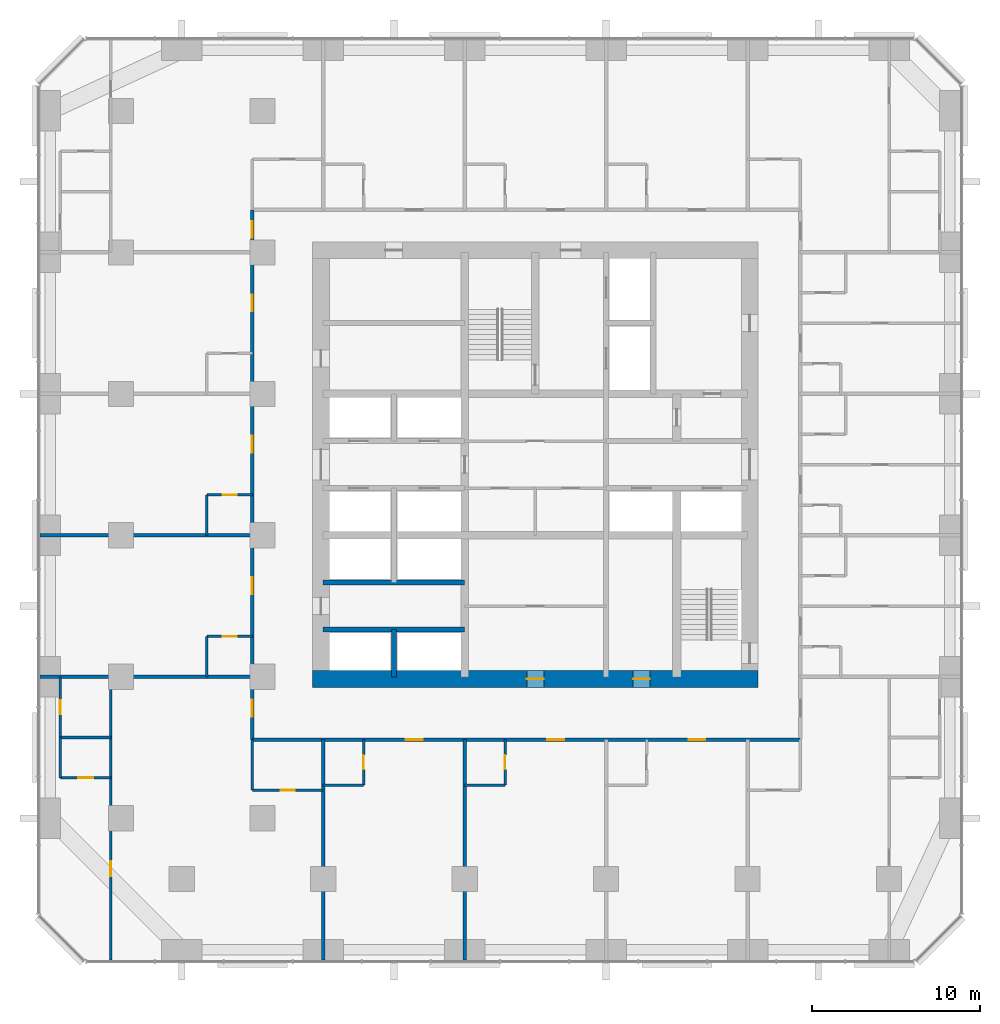
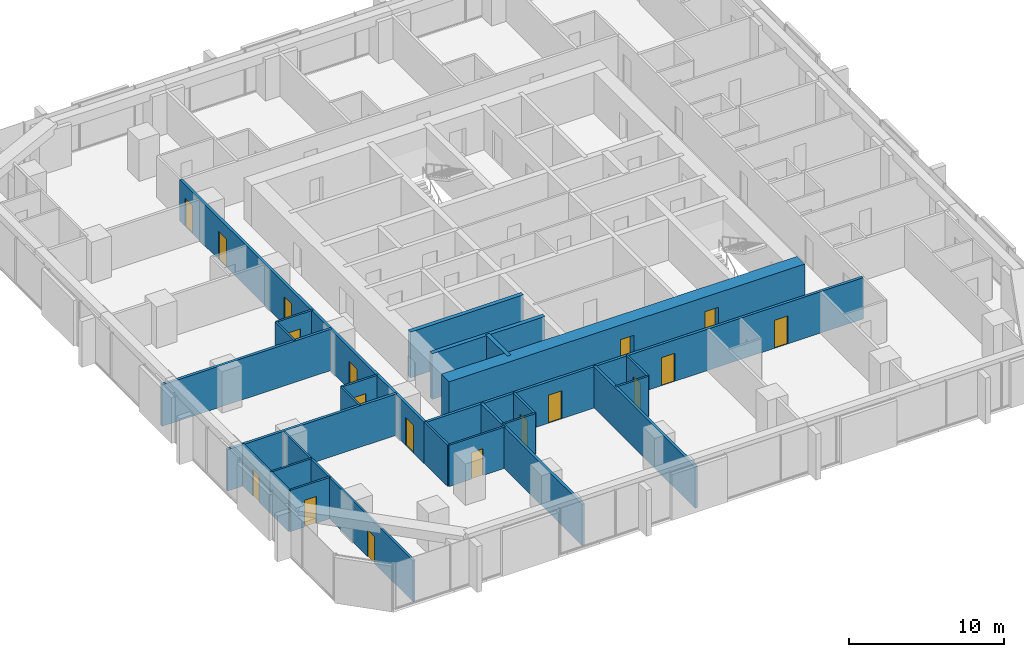
# One storey, part 8 of 13: 25 walls, 18 doors, 18 openings.
"""IFC4 building model written with IfcOpenShell, lengths in metres."""

from ifc_helpers import new_model, si_unit, direction, frame, frame_2d, origin, place, context, subcontext, project, spatial, rectangle, extrude, material, layer, layer_set, type_object, element, fill, save


model = new_model("IFC4")

# Units and contexts
model_context = context("Model", 3, precision=1e-05, world=origin(), true_north=direction((0.0, 1.0)))
body_context = subcontext(model_context, "Body", "Model", "MODEL_VIEW")
ifc_project = project(units=[si_unit("LENGTHUNIT", "METRE"), si_unit("AREAUNIT", "SQUARE_METRE"), si_unit("VOLUMEUNIT", "CUBIC_METRE"), si_unit("PLANEANGLEUNIT", "RADIAN"), si_unit("MASSUNIT", "GRAM", prefix="KILO")], contexts=[model_context])

# Site, building, storey
site_placement = place(None, origin())
site = spatial("IfcSite", under=ifc_project, at=site_placement, CompositionType="ELEMENT")
building_placement = place(site_placement, origin())
building = spatial("IfcBuilding", under=site, at=building_placement, Name="Dunama Terrace Hotel", CompositionType="ELEMENT")
storey_placement = place(building_placement, frame((0.0, 0.0, 118.800048828125)))
storey = spatial("IfcBuildingStorey", under=building, at=storey_placement, Name="L30", CompositionType="ELEMENT", Elevation=118.800048828125)

# Wall, opening, door
ifc_material_1 = material(Name="Gypsum board partition", Category="masonry")
ifc_layer_1 = layer(ifc_material_1, 0.14990234375)
ifc_layer_set_1 = layer_set([ifc_layer_1], Name="Bathroom partition 150")
wall_type_1 = type_object("IfcWallType", Name="Bathroom partition 150", PredefinedType="PARTITIONING", material=ifc_layer_set_1)
wall_1_placement = place(storey_placement, frame((1.199951171875, 13.199951171875, 0.0), z_axis=(0.0, 0.0, 1.0), x_axis=(0.0, 1.0, 0.0)))
wall_1 = element("IfcWall", 1, at=wall_1_placement, inside=storey, type_object=wall_type_1, Name="Bathroom partition 150 L30", PredefinedType="PARTITIONING", context=body_context, shape_type="SweptSolid", body=[
    extrude(rectangle(XDim=3.60009765625, YDim=0.14990234375, at=frame_2d((1.800048828125, 0.0))), origin(), (0.0, 0.0, 1.0), 3.25),
])
opening_1_placement = place(wall_1_placement, frame((1.375, 0.0, 0.0)))
opening_1 = element("IfcOpeningElement", 2, at=opening_1_placement, cuts=wall_1, Name="Opening L30-044", PredefinedType="OPENING", context=body_context, shape_type="SweptSolid", body=[
    extrude(rectangle(XDim=0.85009765625, YDim=2.10009765625, at=frame_2d((0.425048828125, 1.050048828125))), frame((0.0, 0.0849609375, 0.0), z_axis=(0.0, -1.0, 0.0), x_axis=(1.0, 0.0, 0.0)), (0.0, 0.0, 1.0), 0.169921875),
])
ifc_material_2 = material(Name="Timber door with steel frame", Category="steel")
door_type_1 = type_object("IfcDoorType", Name="Bathroom door 850", OperationType="SINGLE_SWING_LEFT", PredefinedType="DOOR", material=ifc_material_2)
door_1_placement = place(opening_1_placement, frame((0.85009765625, 0.0, 0.0), z_axis=(0.0, 0.0, 1.0), x_axis=(-1.0, 0.0, 0.0)))
door_1 = element("IfcDoor", 3, at=door_1_placement, inside=storey, type_object=door_type_1, Name="Door to en-suite bathroom L30-044, type D2", OperationType="SINGLE_SWING_LEFT", OverallHeight=2.10009765625, OverallWidth=0.85009765625, PredefinedType="DOOR", context=body_context, shape_type="SweptSolid", body=[
    extrude(rectangle(XDim=0.85009765625, YDim=2.10009765625, at=frame_2d((0.425048828125, 1.050048828125))), frame((0.0, 0.025146484375, 0.0), z_axis=(0.0, -1.0, 0.0), x_axis=(1.0, 0.0, 0.0)), (0.0, 0.0, 1.0), 0.050048828125),
])
fill(opening_1, door_1)

# Walls
wall_2_placement = place(storey_placement, frame((9.89990234375, 16.800048828125, 0.0), z_axis=(0.0, 0.0, 1.0), x_axis=(0.0, 1.0, 0.0)))
element("IfcWall", 4, at=wall_2_placement, inside=storey, type_object=wall_type_1, Name="Bathroom partition 150 L30", PredefinedType="PARTITIONING", context=body_context, shape_type="SweptSolid", body=[
    extrude(rectangle(XDim=2.39990234375, YDim=0.14990234375, at=frame_2d((1.199951171875, 0.0))), origin(), (0.0, 0.0, 1.0), 3.25),
])
wall_3_placement = place(storey_placement, frame((9.89990234375, 25.199951171875, 0.0), z_axis=(0.0, 0.0, 1.0), x_axis=(0.0, 1.0, 0.0)))
element("IfcWall", 5, at=wall_3_placement, inside=storey, type_object=wall_type_1, Name="Bathroom partition 150 L30", PredefinedType="PARTITIONING", context=body_context, shape_type="SweptSolid", body=[
    extrude(rectangle(XDim=2.400146484375, YDim=0.14990234375, at=frame_2d((1.2001953125, 0.0))), origin(), (0.0, 0.0, 1.0), 3.25),
])
wall_4_placement = place(storey_placement, frame((12.60009765625, 10.074951171875, 0.0), z_axis=(0.0, 0.0, 1.0), x_axis=(0.0, 1.0, 0.0)))
element("IfcWall", 6, at=wall_4_placement, inside=storey, type_object=wall_type_1, Name="Bathroom partition 150 L30", PredefinedType="PARTITIONING", context=body_context, shape_type="SweptSolid", body=[
    extrude(rectangle(XDim=3.0, YDim=0.14990234375, at=frame_2d((1.5, 0.0))), origin(), (0.0, 0.0, 1.0), 3.25),
])

# Wall, opening, door
wall_5_placement = place(storey_placement, frame((19.199951171875, 10.375, 0.0), z_axis=(0.0, 0.0, 1.0), x_axis=(0.0, 1.0, 0.0)))
wall_5 = element("IfcWall", 7, at=wall_5_placement, inside=storey, type_object=wall_type_1, Name="Bathroom partition 150 L30", PredefinedType="PARTITIONING", context=body_context, shape_type="SweptSolid", body=[
    extrude(rectangle(XDim=2.699951171875, YDim=0.14990234375, at=frame_2d((1.35009765625, 0.0))), origin(), (0.0, 0.0, 1.0), 3.25),
])
opening_2_placement = place(wall_5_placement, frame((0.925048828125, 0.0, 0.0)))
opening_2 = element("IfcOpeningElement", 8, at=opening_2_placement, cuts=wall_5, Name="Opening L30-012", PredefinedType="OPENING", context=body_context, shape_type="SweptSolid", body=[
    extrude(rectangle(XDim=0.85009765625, YDim=2.10009765625, at=frame_2d((0.425048828125, 1.050048828125))), frame((0.0, 0.0849609375, 0.0), z_axis=(0.0, -1.0, 0.0), x_axis=(1.0, 0.0, 0.0)), (0.0, 0.0, 1.0), 0.169921875),
])
door_2_placement = place(opening_2_placement, origin())
door_2 = element("IfcDoor", 9, at=door_2_placement, inside=storey, type_object=door_type_1, Name="Door to en-suite bathroom L30-012, type D2", OperationType="SINGLE_SWING_RIGHT", OverallHeight=2.10009765625, OverallWidth=0.85009765625, PredefinedType="DOOR", context=body_context, shape_type="SweptSolid", body=[
    extrude(rectangle(XDim=0.85009765625, YDim=2.10009765625, at=frame_2d((0.425048828125, 1.050048828125))), frame((0.0, 0.02490234375, 0.0), z_axis=(0.0, -1.0, 0.0), x_axis=(1.0, 0.0, 0.0)), (0.0, 0.0, 1.0), 0.050048828125),
])
fill(opening_2, door_2)

wall_6_placement = place(storey_placement, frame((27.60009765625, 10.375, 0.0), z_axis=(0.0, 0.0, 1.0), x_axis=(0.0, 1.0, 0.0)))
wall_6 = element("IfcWall", 10, at=wall_6_placement, inside=storey, type_object=wall_type_1, Name="Bathroom partition 150 L30", PredefinedType="PARTITIONING", context=body_context, shape_type="SweptSolid", body=[
    extrude(rectangle(XDim=2.699951171875, YDim=0.14990234375, at=frame_2d((1.35009765625, 0.0))), origin(), (0.0, 0.0, 1.0), 3.25),
])
opening_3_placement = place(wall_6_placement, frame((0.925048828125, 0.0, 0.0)))
opening_3 = element("IfcOpeningElement", 11, at=opening_3_placement, cuts=wall_6, Name="Opening L30-014", PredefinedType="OPENING", context=body_context, shape_type="SweptSolid", body=[
    extrude(rectangle(XDim=0.85009765625, YDim=2.10009765625, at=frame_2d((0.425048828125, 1.050048828125))), frame((0.0, 0.0849609375, 0.0), z_axis=(0.0, -1.0, 0.0), x_axis=(1.0, 0.0, 0.0)), (0.0, 0.0, 1.0), 0.169921875),
])
door_3_placement = place(opening_3_placement, origin())
door_3 = element("IfcDoor", 12, at=door_3_placement, inside=storey, type_object=door_type_1, Name="Door to en-suite bathroom L30-014, type D2", OperationType="SINGLE_SWING_RIGHT", OverallHeight=2.10009765625, OverallWidth=0.85009765625, PredefinedType="DOOR", context=body_context, shape_type="SweptSolid", body=[
    extrude(rectangle(XDim=0.85009765625, YDim=2.10009765625, at=frame_2d((0.425048828125, 1.050048828125))), frame((0.0, 0.02490234375, 0.0), z_axis=(0.0, -1.0, 0.0), x_axis=(1.0, 0.0, 0.0)), (0.0, 0.0, 1.0), 0.050048828125),
])
fill(opening_3, door_3)

wall_7_placement = place(storey_placement, frame((12.60009765625, 10.074951171875, 0.0), z_axis=(0.0, 0.0, 1.0), x_axis=(1.0, 0.0, 0.0)))
wall_7 = element("IfcWall", 13, at=wall_7_placement, inside=storey, type_object=wall_type_1, Name="Bathroom partition 150 L30", PredefinedType="PARTITIONING", context=body_context, shape_type="SweptSolid", body=[
    extrude(rectangle(XDim=4.199951171875, YDim=0.14990234375, at=frame_2d((2.10009765625, 0.0))), origin(), (0.0, 0.0, 1.0), 3.25),
])
opening_4_placement = place(wall_7_placement, frame((1.675048828125, 0.0, 0.0)))
opening_4 = element("IfcOpeningElement", 14, at=opening_4_placement, cuts=wall_7, Name="Opening L30-042", PredefinedType="OPENING", context=body_context, shape_type="SweptSolid", body=[
    extrude(rectangle(XDim=0.85009765625, YDim=2.10009765625, at=frame_2d((0.425048828125, 1.050048828125))), frame((0.0, 0.0849609375, 0.0), z_axis=(0.0, -1.0, 0.0), x_axis=(1.0, 0.0, 0.0)), (0.0, 0.0, 1.0), 0.169921875),
])
door_4_placement = place(opening_4_placement, origin())
door_4 = element("IfcDoor", 15, at=door_4_placement, inside=storey, type_object=door_type_1, Name="Door to powder room L30-042, type D2", OperationType="SINGLE_SWING_LEFT", OverallHeight=2.10009765625, OverallWidth=0.85009765625, PredefinedType="DOOR", context=body_context, shape_type="SweptSolid", body=[
    extrude(rectangle(XDim=0.85009765625, YDim=2.10009765625, at=frame_2d((0.425048828125, 1.050048828125))), frame((0.0, 0.02490234375, 0.0), z_axis=(0.0, -1.0, 0.0), x_axis=(1.0, 0.0, 0.0)), (0.0, 0.0, 1.0), 0.050048828125),
])
fill(opening_4, door_4)

# Walls
wall_8_placement = place(storey_placement, frame((16.800048828125, 10.375, 0.0), z_axis=(0.0, 0.0, 1.0), x_axis=(1.0, 0.0, 0.0)))
element("IfcWall", 16, at=wall_8_placement, inside=storey, type_object=wall_type_1, Name="Bathroom partition 150 L30", PredefinedType="PARTITIONING", context=body_context, shape_type="SweptSolid", body=[
    extrude(rectangle(XDim=2.39990234375, YDim=0.14990234375, at=frame_2d((1.199951171875, 0.0))), origin(), (0.0, 0.0, 1.0), 3.25),
])
wall_9_placement = place(storey_placement, frame((25.199951171875, 10.375, 0.0), z_axis=(0.0, 0.0, 1.0), x_axis=(1.0, 0.0, 0.0)))
element("IfcWall", 17, at=wall_9_placement, inside=storey, type_object=wall_type_1, Name="Bathroom partition 150 L30", PredefinedType="PARTITIONING", context=body_context, shape_type="SweptSolid", body=[
    extrude(rectangle(XDim=2.400146484375, YDim=0.14990234375, at=frame_2d((1.2001953125, 0.0))), origin(), (0.0, 0.0, 1.0), 3.25),
])

# Wall, opening, door
wall_10_placement = place(storey_placement, frame((9.89990234375, 19.199951171875, 0.0), z_axis=(0.0, 0.0, 1.0), x_axis=(1.0, 0.0, 0.0)))
wall_10 = element("IfcWall", 18, at=wall_10_placement, inside=storey, type_object=wall_type_1, Name="Bathroom partition 150 L30", PredefinedType="PARTITIONING", context=body_context, shape_type="SweptSolid", body=[
    extrude(rectangle(XDim=2.7001953125, YDim=0.14990234375, at=frame_2d((1.35009765625, 0.0))), origin(), (0.0, 0.0, 1.0), 3.25),
])
opening_5_placement = place(wall_10_placement, frame((0.925048828125, 0.0, 0.0)))
opening_5 = element("IfcOpeningElement", 19, at=opening_5_placement, cuts=wall_10, Name="Opening L30-036", PredefinedType="OPENING", context=body_context, shape_type="SweptSolid", body=[
    extrude(rectangle(XDim=0.85009765625, YDim=2.10009765625, at=frame_2d((0.425048828125, 1.050048828125))), frame((0.0, 0.0849609375, 0.0), z_axis=(0.0, -1.0, 0.0), x_axis=(1.0, 0.0, 0.0)), (0.0, 0.0, 1.0), 0.169921875),
])
door_5_placement = place(opening_5_placement, frame((0.85009765625, 0.0, 0.0), z_axis=(0.0, 0.0, 1.0), x_axis=(-1.0, 0.0, 0.0)))
door_5 = element("IfcDoor", 20, at=door_5_placement, inside=storey, type_object=door_type_1, Name="Door to en-suite bathroom L30-036, type D2", OperationType="SINGLE_SWING_LEFT", OverallHeight=2.10009765625, OverallWidth=0.85009765625, PredefinedType="DOOR", context=body_context, shape_type="SweptSolid", body=[
    extrude(rectangle(XDim=0.85009765625, YDim=2.10009765625, at=frame_2d((0.425048828125, 1.050048828125))), frame((0.0, 0.025146484375, 0.0), z_axis=(0.0, -1.0, 0.0), x_axis=(1.0, 0.0, 0.0)), (0.0, 0.0, 1.0), 0.050048828125),
])
fill(opening_5, door_5)

wall_11_placement = place(storey_placement, frame((9.89990234375, 27.60009765625, 0.0), z_axis=(0.0, 0.0, 1.0), x_axis=(1.0, 0.0, 0.0)))
wall_11 = element("IfcWall", 21, at=wall_11_placement, inside=storey, type_object=wall_type_1, Name="Bathroom partition 150 L30", PredefinedType="PARTITIONING", context=body_context, shape_type="SweptSolid", body=[
    extrude(rectangle(XDim=2.7001953125, YDim=0.14990234375, at=frame_2d((1.35009765625, 0.0))), origin(), (0.0, 0.0, 1.0), 3.25),
])
opening_6_placement = place(wall_11_placement, frame((0.925048828125, 0.0, 0.0)))
opening_6 = element("IfcOpeningElement", 22, at=opening_6_placement, cuts=wall_11, Name="Opening L30-038", PredefinedType="OPENING", context=body_context, shape_type="SweptSolid", body=[
    extrude(rectangle(XDim=0.85009765625, YDim=2.10009765625, at=frame_2d((0.425048828125, 1.050048828125))), frame((0.0, 0.0849609375, 0.0), z_axis=(0.0, -1.0, 0.0), x_axis=(1.0, 0.0, 0.0)), (0.0, 0.0, 1.0), 0.169921875),
])
door_6_placement = place(opening_6_placement, frame((0.85009765625, 0.0, 0.0), z_axis=(0.0, 0.0, 1.0), x_axis=(-1.0, 0.0, 0.0)))
door_6 = element("IfcDoor", 23, at=door_6_placement, inside=storey, type_object=door_type_1, Name="Door to en-suite bathroom L30-038, type D2", OperationType="SINGLE_SWING_LEFT", OverallHeight=2.10009765625, OverallWidth=0.85009765625, PredefinedType="DOOR", context=body_context, shape_type="SweptSolid", body=[
    extrude(rectangle(XDim=0.85009765625, YDim=2.10009765625, at=frame_2d((0.425048828125, 1.050048828125))), frame((0.0, 0.025146484375, 0.0), z_axis=(0.0, -1.0, 0.0), x_axis=(1.0, 0.0, 0.0)), (0.0, 0.0, 1.0), 0.050048828125),
])
fill(opening_6, door_6)

# Walls
ifc_material_3 = material(Name="Concrete C50/60", Category="concrete")
ifc_layer_2 = layer(ifc_material_3, 0.300048828125)
ifc_layer_set_2 = layer_set([ifc_layer_2], Name="Core inner wall 300")
wall_type_2 = type_object("IfcWallType", Name="Core inner wall 300", PredefinedType="SHEAR", material=ifc_layer_set_2)
wall_12_placement = place(storey_placement, frame((21.0, 16.800048828125, -0.35009765625), z_axis=(0.0, 0.0, 1.0), x_axis=(0.0, 1.0, 0.0)))
element("IfcWall", 24, at=wall_12_placement, inside=storey, type_object=wall_type_2, Name="Core inner wall 300 L30", PredefinedType="SHEAR", context=body_context, shape_type="SweptSolid", body=[
    extrude(rectangle(XDim=2.800048828125, YDim=0.300048828125, at=frame_2d((1.39990234375, 0.0))), origin(), (0.0, 0.0, 1.0), 3.60009765625),
])
for number, where, z_axis, x_axis, name in (
    (25, (16.800048828125, 19.60009765625, -0.35009765625), (0.0, 0.0, 1.0), (1.0, 0.0, 0.0), "Core inner wall 300 L30"),
    (26, (16.800048828125, 22.39990234375, -0.35009765625), (0.0, 0.0, 1.0), (1.0, 0.0, 0.0), "Core inner wall 300 L30"),
):
    element("IfcWall", number, at=place(storey_placement, frame(where, z_axis=z_axis, x_axis=x_axis)), inside=storey, type_object=wall_type_2, Name=name, PredefinedType="SHEAR", context=body_context, shape_type="SweptSolid", body=[
        extrude(rectangle(XDim=8.39990234375, YDim=0.300048828125, at=frame_2d((4.199951171875, 0.0))), origin(), (0.0, 0.0, 1.0), 3.60009765625),
    ])

# Wall, openings, doors
ifc_material_4 = material(Name="Concrete C60/75", Category="concrete")
ifc_layer_3 = layer(ifc_material_4, 1.0)
ifc_layer_set_3 = layer_set([ifc_layer_3], Name="Core wall 1000")
wall_type_3 = type_object("IfcWallType", Name="Core wall 1000", PredefinedType="SHEAR", material=ifc_layer_set_3)
wall_13_placement = place(storey_placement, frame((16.175048828125, 16.675048828125, -0.35009765625), z_axis=(0.0, 0.0, 1.0), x_axis=(1.0, 0.0, 0.0)))
wall_13 = element("IfcWall", 27, at=wall_13_placement, inside=storey, type_object=wall_type_3, Name="Core wall south L30", PredefinedType="SHEAR", context=body_context, shape_type="SweptSolid", body=[
    extrude(rectangle(XDim=26.449951171875, YDim=1.0, at=frame_2d((13.22509765625, 0.0))), origin(), (0.0, 0.0, 1.0), 3.60009765625),
])
opening_7_placement = place(wall_13_placement, frame((12.72509765625, 0.0, 0.35009765625)))
opening_7 = element("IfcOpeningElement", 28, at=opening_7_placement, cuts=wall_13, Name="Opening L30-074", PredefinedType="OPENING", context=body_context, shape_type="SweptSolid", body=[
    extrude(rectangle(XDim=1.0, YDim=2.10009765625, at=frame_2d((0.5, 1.050048828125))), frame((0.0, 0.510009765625, 0.0), z_axis=(0.0, -1.0, 0.0), x_axis=(1.0, 0.0, 0.0)), (0.0, 0.0, 1.0), 1.02001953125),
])
opening_8_placement = place(wall_13_placement, frame((19.02490234375, 0.0, 0.35009765625)))
opening_8 = element("IfcOpeningElement", 29, at=opening_8_placement, cuts=wall_13, Name="Opening L30-076", PredefinedType="OPENING", context=body_context, shape_type="SweptSolid", body=[
    extrude(rectangle(XDim=1.0, YDim=2.10009765625, at=frame_2d((0.5, 1.050048828125))), frame((0.0, 0.510009765625, 0.0), z_axis=(0.0, -1.0, 0.0), x_axis=(1.0, 0.0, 0.0)), (0.0, 0.0, 1.0), 1.02001953125),
])
ifc_material_5 = material(Name="Timber door with steel frame", Category="steel")
door_type_2 = type_object("IfcDoorType", Name="Service door 1000", OperationType="SINGLE_SWING_LEFT", PredefinedType="DOOR", material=ifc_material_5)
door_7_placement = place(opening_7_placement, origin())
door_7 = element("IfcDoor", 30, at=door_7_placement, inside=storey, type_object=door_type_2, Name="Door to corridor air handling room L30-074, type D7", OperationType="SINGLE_SWING_LEFT", OverallHeight=2.10009765625, OverallWidth=1.0, PredefinedType="DOOR", context=body_context, shape_type="SweptSolid", body=[
    extrude(rectangle(XDim=1.0, YDim=2.10009765625, at=frame_2d((0.5, 1.050048828125))), frame((0.0, 0.02490234375, 0.0), z_axis=(0.0, -1.0, 0.0), x_axis=(1.0, 0.0, 0.0)), (0.0, 0.0, 1.0), 0.050048828125),
])
fill(opening_7, door_7)
door_8_placement = place(opening_8_placement, origin())
door_8 = element("IfcDoor", 31, at=door_8_placement, inside=storey, type_object=door_type_2, Name="Door to water riser room L30-076, type D7", OperationType="SINGLE_SWING_RIGHT", OverallHeight=2.10009765625, OverallWidth=1.0, PredefinedType="DOOR", context=body_context, shape_type="SweptSolid", body=[
    extrude(rectangle(XDim=1.0, YDim=2.10009765625, at=frame_2d((0.5, 1.050048828125))), frame((0.0, 0.02490234375, 0.0), z_axis=(0.0, -1.0, 0.0), x_axis=(1.0, 0.0, 0.0)), (0.0, 0.0, 1.0), 0.050048828125),
])
fill(opening_8, door_8)

ifc_material_6 = material(Name="Concrete blockwork", Category="masonry")
ifc_layer_4 = layer(ifc_material_6, 0.199951171875)
ifc_layer_set_4 = layer_set([ifc_layer_4], Name="Corridor partition 200")
wall_type_4 = type_object("IfcWallType", Name="Corridor partition 200", PredefinedType="PARTITIONING", material=ifc_layer_set_4)
wall_14_placement = place(storey_placement, frame((12.60009765625, 13.074951171875, 0.0), z_axis=(0.0, 0.0, 1.0), x_axis=(0.0, 1.0, 0.0)))
wall_14 = element("IfcWall", 32, at=wall_14_placement, inside=storey, type_object=wall_type_4, Name="Corridor partition 200 L30", PredefinedType="PARTITIONING", context=body_context, shape_type="SweptSolid", body=[
    extrude(rectangle(XDim=31.449951171875, YDim=0.199951171875, at=frame_2d((15.72509765625, 0.0))), origin(), (0.0, 0.0, 1.0), 3.25),
])
opening_9_placement = place(wall_14_placement, frame((8.625, 0.0, 0.0)))
opening_9 = element("IfcOpeningElement", 33, at=opening_9_placement, cuts=wall_14, Name="Opening L30-035", PredefinedType="OPENING", context=body_context, shape_type="SweptSolid", body=[
    extrude(rectangle(XDim=1.0, YDim=2.199951171875, at=frame_2d((0.5, 1.10009765625))), frame((0.0, 0.10986328125, 0.0), z_axis=(0.0, -1.0, 0.0), x_axis=(1.0, 0.0, 0.0)), (0.0, 0.0, 1.0), 0.219970703125),
])
opening_10_placement = place(wall_14_placement, frame((17.02490234375, 0.0, 0.0)))
opening_10 = element("IfcOpeningElement", 34, at=opening_10_placement, cuts=wall_14, Name="Opening L30-037", PredefinedType="OPENING", context=body_context, shape_type="SweptSolid", body=[
    extrude(rectangle(XDim=1.0, YDim=2.199951171875, at=frame_2d((0.5, 1.10009765625))), frame((0.0, 0.10986328125, 0.0), z_axis=(0.0, -1.0, 0.0), x_axis=(1.0, 0.0, 0.0)), (0.0, 0.0, 1.0), 0.219970703125),
])
opening_11_placement = place(wall_14_placement, frame((25.425048828125, 0.0, 0.0)))
opening_11 = element("IfcOpeningElement", 35, at=opening_11_placement, cuts=wall_14, Name="Opening L30-039", PredefinedType="OPENING", context=body_context, shape_type="SweptSolid", body=[
    extrude(rectangle(XDim=1.0, YDim=2.199951171875, at=frame_2d((0.5, 1.10009765625))), frame((0.0, 0.10986328125, 0.0), z_axis=(0.0, -1.0, 0.0), x_axis=(1.0, 0.0, 0.0)), (0.0, 0.0, 1.0), 0.219970703125),
])
opening_12_placement = place(wall_14_placement, frame((1.363037109375, 0.0, 0.0)))
opening_12 = element("IfcOpeningElement", 36, at=opening_12_placement, cuts=wall_14, Name="Opening L30-041", PredefinedType="OPENING", context=body_context, shape_type="SweptSolid", body=[
    extrude(rectangle(XDim=1.0, YDim=2.199951171875, at=frame_2d((0.5, 1.10009765625))), frame((0.0, 0.10986328125, 0.0), z_axis=(0.0, -1.0, 0.0), x_axis=(1.0, 0.0, 0.0)), (0.0, 0.0, 1.0), 0.219970703125),
])
opening_13_placement = place(wall_14_placement, frame((29.7880859375, 0.0, 0.0)))
opening_13 = element("IfcOpeningElement", 37, at=opening_13_placement, cuts=wall_14, Name="Opening L30-056", PredefinedType="OPENING", context=body_context, shape_type="SweptSolid", body=[
    extrude(rectangle(XDim=1.0, YDim=2.199951171875, at=frame_2d((0.5, 1.10009765625))), frame((0.0, 0.10986328125, 0.0), z_axis=(0.0, -1.0, 0.0), x_axis=(1.0, 0.0, 0.0)), (0.0, 0.0, 1.0), 0.219970703125),
])
ifc_material_7 = material(Name="Timber door with steel frame", Category="steel")
door_type_3 = type_object("IfcDoorType", Name="Guest room door 1000", OperationType="SINGLE_SWING_LEFT", PredefinedType="DOOR", material=ifc_material_7)
door_9_placement = place(opening_9_placement, origin())
door_9 = element("IfcDoor", 38, at=door_9_placement, inside=storey, type_object=door_type_3, Name="Door to junior suite L30-035, type D1", OperationType="SINGLE_SWING_RIGHT", OverallHeight=2.199951171875, OverallWidth=1.0, PredefinedType="DOOR", context=body_context, shape_type="SweptSolid", body=[
    extrude(rectangle(XDim=1.0, YDim=2.199951171875, at=frame_2d((0.5, 1.10009765625))), frame((0.0, 0.02490234375, 0.0), z_axis=(0.0, -1.0, 0.0), x_axis=(1.0, 0.0, 0.0)), (0.0, 0.0, 1.0), 0.050048828125),
])
fill(opening_9, door_9)
door_10_placement = place(opening_10_placement, origin())
door_10 = element("IfcDoor", 39, at=door_10_placement, inside=storey, type_object=door_type_3, Name="Door to junior suite L30-037, type D1", OperationType="SINGLE_SWING_RIGHT", OverallHeight=2.199951171875, OverallWidth=1.0, PredefinedType="DOOR", context=body_context, shape_type="SweptSolid", body=[
    extrude(rectangle(XDim=1.0, YDim=2.199951171875, at=frame_2d((0.5, 1.10009765625))), frame((0.0, 0.02490234375, 0.0), z_axis=(0.0, -1.0, 0.0), x_axis=(1.0, 0.0, 0.0)), (0.0, 0.0, 1.0), 0.050048828125),
])
fill(opening_10, door_10)
door_11_placement = place(opening_11_placement, origin())
door_11 = element("IfcDoor", 40, at=door_11_placement, inside=storey, type_object=door_type_3, Name="Door to junior suite L30-039, type D1", OperationType="SINGLE_SWING_RIGHT", OverallHeight=2.199951171875, OverallWidth=1.0, PredefinedType="DOOR", context=body_context, shape_type="SweptSolid", body=[
    extrude(rectangle(XDim=1.0, YDim=2.199951171875, at=frame_2d((0.5, 1.10009765625))), frame((0.0, 0.02490234375, 0.0), z_axis=(0.0, -1.0, 0.0), x_axis=(1.0, 0.0, 0.0)), (0.0, 0.0, 1.0), 0.050048828125),
])
fill(opening_11, door_11)
door_12_placement = place(opening_12_placement, origin())
door_12 = element("IfcDoor", 41, at=door_12_placement, inside=storey, type_object=door_type_3, Name="Door to corner suite living room L30-041, type D1", OperationType="SINGLE_SWING_RIGHT", OverallHeight=2.199951171875, OverallWidth=1.0, PredefinedType="DOOR", context=body_context, shape_type="SweptSolid", body=[
    extrude(rectangle(XDim=1.0, YDim=2.199951171875, at=frame_2d((0.5, 1.10009765625))), frame((0.0, 0.02490234375, 0.0), z_axis=(0.0, -1.0, 0.0), x_axis=(1.0, 0.0, 0.0)), (0.0, 0.0, 1.0), 0.050048828125),
])
fill(opening_12, door_12)
door_13_placement = place(opening_13_placement, origin())
door_13 = element("IfcDoor", 42, at=door_13_placement, inside=storey, type_object=door_type_3, Name="Door to corner suite living room L30-056, type D1", OperationType="SINGLE_SWING_LEFT", OverallHeight=2.199951171875, OverallWidth=1.0, PredefinedType="DOOR", context=body_context, shape_type="SweptSolid", body=[
    extrude(rectangle(XDim=1.0, YDim=2.199951171875, at=frame_2d((0.5, 1.10009765625))), frame((0.0, 0.02490234375, 0.0), z_axis=(0.0, -1.0, 0.0), x_axis=(1.0, 0.0, 0.0)), (0.0, 0.0, 1.0), 0.050048828125),
])
fill(opening_13, door_13)

wall_15_placement = place(storey_placement, frame((45.125, 13.074951171875, 0.0), z_axis=(0.0, 0.0, 1.0), x_axis=(-1.0, 0.0, 0.0)))
wall_15 = element("IfcWall", 43, at=wall_15_placement, inside=storey, type_object=wall_type_4, Name="Corridor partition 200 L30", PredefinedType="PARTITIONING", context=body_context, shape_type="SweptSolid", body=[
    extrude(rectangle(XDim=32.52490234375, YDim=0.199951171875, at=frame_2d((16.262451171875, 0.0))), origin(), (0.0, 0.0, 1.0), 3.25),
])
opening_14_placement = place(wall_15_placement, frame((22.425048828125, 0.0, 0.0)))
opening_14 = element("IfcOpeningElement", 44, at=opening_14_placement, cuts=wall_15, Name="Opening L30-011", PredefinedType="OPENING", context=body_context, shape_type="SweptSolid", body=[
    extrude(rectangle(XDim=1.0, YDim=2.199951171875, at=frame_2d((0.5, 1.10009765625))), frame((0.0, 0.10986328125, 0.0), z_axis=(0.0, -1.0, 0.0), x_axis=(1.0, 0.0, 0.0)), (0.0, 0.0, 1.0), 0.219970703125),
])
opening_15_placement = place(wall_15_placement, frame((14.02490234375, 0.0, 0.0)))
opening_15 = element("IfcOpeningElement", 45, at=opening_15_placement, cuts=wall_15, Name="Opening L30-013", PredefinedType="OPENING", context=body_context, shape_type="SweptSolid", body=[
    extrude(rectangle(XDim=1.0, YDim=2.199951171875, at=frame_2d((0.5, 1.10009765625))), frame((0.0, 0.10986328125, 0.0), z_axis=(0.0, -1.0, 0.0), x_axis=(1.0, 0.0, 0.0)), (0.0, 0.0, 1.0), 0.219970703125),
])
opening_16_placement = place(wall_15_placement, frame((5.625, 0.0, 0.0)))
opening_16 = element("IfcOpeningElement", 46, at=opening_16_placement, cuts=wall_15, Name="Opening L30-015", PredefinedType="OPENING", context=body_context, shape_type="SweptSolid", body=[
    extrude(rectangle(XDim=1.0, YDim=2.199951171875, at=frame_2d((0.5, 1.10009765625))), frame((0.0, 0.10986328125, 0.0), z_axis=(0.0, -1.0, 0.0), x_axis=(1.0, 0.0, 0.0)), (0.0, 0.0, 1.0), 0.219970703125),
])
door_14_placement = place(opening_14_placement, origin())
door_14 = element("IfcDoor", 47, at=door_14_placement, inside=storey, type_object=door_type_3, Name="Door to junior suite L30-011, type D1", OperationType="SINGLE_SWING_LEFT", OverallHeight=2.199951171875, OverallWidth=1.0, PredefinedType="DOOR", context=body_context, shape_type="SweptSolid", body=[
    extrude(rectangle(XDim=1.0, YDim=2.199951171875, at=frame_2d((0.5, 1.10009765625))), frame((0.0, 0.02490234375, 0.0), z_axis=(0.0, -1.0, 0.0), x_axis=(1.0, 0.0, 0.0)), (0.0, 0.0, 1.0), 0.050048828125),
])
fill(opening_14, door_14)
door_15_placement = place(opening_15_placement, origin())
door_15 = element("IfcDoor", 48, at=door_15_placement, inside=storey, type_object=door_type_3, Name="Door to junior suite L30-013, type D1", OperationType="SINGLE_SWING_LEFT", OverallHeight=2.199951171875, OverallWidth=1.0, PredefinedType="DOOR", context=body_context, shape_type="SweptSolid", body=[
    extrude(rectangle(XDim=1.0, YDim=2.199951171875, at=frame_2d((0.5, 1.10009765625))), frame((0.0, 0.02490234375, 0.0), z_axis=(0.0, -1.0, 0.0), x_axis=(1.0, 0.0, 0.0)), (0.0, 0.0, 1.0), 0.050048828125),
])
fill(opening_15, door_15)
door_16_placement = place(opening_16_placement, origin())
door_16 = element("IfcDoor", 49, at=door_16_placement, inside=storey, type_object=door_type_3, Name="Door to junior suite L30-015, type D1", OperationType="SINGLE_SWING_LEFT", OverallHeight=2.199951171875, OverallWidth=1.0, PredefinedType="DOOR", context=body_context, shape_type="SweptSolid", body=[
    extrude(rectangle(XDim=1.0, YDim=2.199951171875, at=frame_2d((0.5, 1.10009765625))), frame((0.0, 0.02490234375, 0.0), z_axis=(0.0, -1.0, 0.0), x_axis=(1.0, 0.0, 0.0)), (0.0, 0.0, 1.0), 0.050048828125),
])
fill(opening_16, door_16)

# Walls
ifc_material_8 = material(Name="Concrete blockwork", Category="masonry")
ifc_layer_5 = layer(ifc_material_8, 0.199951171875)
ifc_layer_set_5 = layer_set([ifc_layer_5], Name="Party wall 200")
wall_type_5 = type_object("IfcWallType", Name="Party wall 200", PredefinedType="PARTITIONING", material=ifc_layer_set_5)
for number, where, z_axis, x_axis, name in (
    (50, (16.800048828125, -0.01806640625, 0.0), (0.0, 0.0, 1.0), (0.0, 1.0, 0.0), "Party wall 200 L30"),
    (51, (25.199951171875, -0.01806640625, 0.0), (0.0, 0.0, 1.0), (0.0, 1.0, 0.0), "Party wall 200 L30"),
):
    element("IfcWall", number, at=place(storey_placement, frame(where, z_axis=z_axis, x_axis=x_axis)), inside=storey, type_object=wall_type_5, Name=name, PredefinedType="PARTITIONING", context=body_context, shape_type="SweptSolid", body=[
        extrude(rectangle(XDim=13.093017578125, YDim=0.199951171875, at=frame_2d((6.54638671875, 0.0))), origin(), (0.0, 0.0, 1.0), 3.25),
    ])
for number, where, z_axis, x_axis, name in (
    (52, (-0.01806640625, 16.800048828125, 0.0), (0.0, 0.0, 1.0), (1.0, 0.0, 0.0), "Party wall 200 L30"),
    (53, (-0.01806640625, 25.199951171875, 0.0), (0.0, 0.0, 1.0), (1.0, 0.0, 0.0), "Party wall 200 L30"),
):
    element("IfcWall", number, at=place(storey_placement, frame(where, z_axis=z_axis, x_axis=x_axis)), inside=storey, type_object=wall_type_5, Name=name, PredefinedType="PARTITIONING", context=body_context, shape_type="SweptSolid", body=[
        extrude(rectangle(XDim=12.6181640625, YDim=0.199951171875, at=frame_2d((6.30908203125, 0.0))), origin(), (0.0, 0.0, 1.0), 3.25),
    ])
ifc_material_9 = material(Name="Gypsum board partition", Category="masonry")
ifc_layer_6 = layer(ifc_material_9, 0.14990234375)
ifc_layer_set_6 = layer_set([ifc_layer_6], Name="Room partition 150")
wall_type_6 = type_object("IfcWallType", Name="Room partition 150", PredefinedType="PARTITIONING", material=ifc_layer_set_6)
wall_16_placement = place(storey_placement, frame((1.199951171875, 10.800048828125, 0.0), z_axis=(0.0, 0.0, 1.0), x_axis=(0.0, 1.0, 0.0)))
element("IfcWall", 54, at=wall_16_placement, inside=storey, type_object=wall_type_6, Name="Room partition 150 L30", PredefinedType="PARTITIONING", context=body_context, shape_type="SweptSolid", body=[
    extrude(rectangle(XDim=2.39990234375, YDim=0.14990234375, at=frame_2d((1.199951171875, 0.0))), origin(), (0.0, 0.0, 1.0), 3.25),
])

# Wall, opening, door
wall_17_placement = place(storey_placement, frame((4.199951171875, -0.01806640625, 0.0), z_axis=(0.0, 0.0, 1.0), x_axis=(0.0, 1.0, 0.0)))
wall_17 = element("IfcWall", 55, at=wall_17_placement, inside=storey, type_object=wall_type_6, Name="Room partition 150 L30", PredefinedType="PARTITIONING", context=body_context, shape_type="SweptSolid", body=[
    extrude(rectangle(XDim=16.818115234375, YDim=0.14990234375, at=frame_2d((8.4091796875, 0.0))), origin(), (0.0, 0.0, 1.0), 3.25),
])
opening_17_placement = place(wall_17_placement, frame((4.968017578125, 0.0, 0.0)))
opening_17 = element("IfcOpeningElement", 56, at=opening_17_placement, cuts=wall_17, Name="Opening L30-043", PredefinedType="OPENING", context=body_context, shape_type="SweptSolid", body=[
    extrude(rectangle(XDim=0.89990234375, YDim=2.10009765625, at=frame_2d((0.449951171875, 1.050048828125))), frame((0.0, 0.0849609375, 0.0), z_axis=(0.0, -1.0, 0.0), x_axis=(1.0, 0.0, 0.0)), (0.0, 0.0, 1.0), 0.169921875),
])
ifc_material_10 = material(Name="Timber door with steel frame", Category="steel")
door_type_4 = type_object("IfcDoorType", Name="Suite internal door 900", OperationType="SINGLE_SWING_LEFT", PredefinedType="DOOR", material=ifc_material_10)
door_17_placement = place(opening_17_placement, origin())
door_17 = element("IfcDoor", 57, at=door_17_placement, inside=storey, type_object=door_type_4, Name="Door to corner suite bedroom L30-043, type D16", OperationType="SINGLE_SWING_RIGHT", OverallHeight=2.10009765625, OverallWidth=0.89990234375, PredefinedType="DOOR", context=body_context, shape_type="SweptSolid", body=[
    extrude(rectangle(XDim=0.89990234375, YDim=2.10009765625, at=frame_2d((0.449951171875, 1.050048828125))), frame((0.0, 0.02490234375, 0.0), z_axis=(0.0, -1.0, 0.0), x_axis=(1.0, 0.0, 0.0)), (0.0, 0.0, 1.0), 0.050048828125),
])
fill(opening_17, door_17)

wall_18_placement = place(storey_placement, frame((1.199951171875, 10.800048828125, 0.0), z_axis=(0.0, 0.0, 1.0), x_axis=(1.0, 0.0, 0.0)))
wall_18 = element("IfcWall", 58, at=wall_18_placement, inside=storey, type_object=wall_type_6, Name="Room partition 150 L30", PredefinedType="PARTITIONING", context=body_context, shape_type="SweptSolid", body=[
    extrude(rectangle(XDim=3.0, YDim=0.14990234375, at=frame_2d((1.5, 0.0))), origin(), (0.0, 0.0, 1.0), 3.25),
])
opening_18_placement = place(wall_18_placement, frame((1.050048828125, 0.0, 0.0)))
opening_18 = element("IfcOpeningElement", 59, at=opening_18_placement, cuts=wall_18, Name="Opening L30-045", PredefinedType="OPENING", context=body_context, shape_type="SweptSolid", body=[
    extrude(rectangle(XDim=0.89990234375, YDim=2.10009765625, at=frame_2d((0.449951171875, 1.050048828125))), frame((0.0, 0.0849609375, 0.0), z_axis=(0.0, -1.0, 0.0), x_axis=(1.0, 0.0, 0.0)), (0.0, 0.0, 1.0), 0.169921875),
])
door_18_placement = place(opening_18_placement, origin())
door_18 = element("IfcDoor", 60, at=door_18_placement, inside=storey, type_object=door_type_4, Name="Door to dressing room L30-045, type D16", OperationType="SINGLE_SWING_RIGHT", OverallHeight=2.10009765625, OverallWidth=0.89990234375, PredefinedType="DOOR", context=body_context, shape_type="SweptSolid", body=[
    extrude(rectangle(XDim=0.89990234375, YDim=2.10009765625, at=frame_2d((0.449951171875, 1.050048828125))), frame((0.0, 0.02490234375, 0.0), z_axis=(0.0, -1.0, 0.0), x_axis=(1.0, 0.0, 0.0)), (0.0, 0.0, 1.0), 0.050048828125),
])
fill(opening_18, door_18)

# Wall
wall_19_placement = place(storey_placement, frame((1.199951171875, 13.199951171875, 0.0), z_axis=(0.0, 0.0, 1.0), x_axis=(1.0, 0.0, 0.0)))
element("IfcWall", 61, at=wall_19_placement, inside=storey, type_object=wall_type_6, Name="Room partition 150 L30", PredefinedType="PARTITIONING", context=body_context, shape_type="SweptSolid", body=[
    extrude(rectangle(XDim=3.0, YDim=0.14990234375, at=frame_2d((1.5, 0.0))), origin(), (0.0, 0.0, 1.0), 3.25),
])

save(model, "model.ifc")
